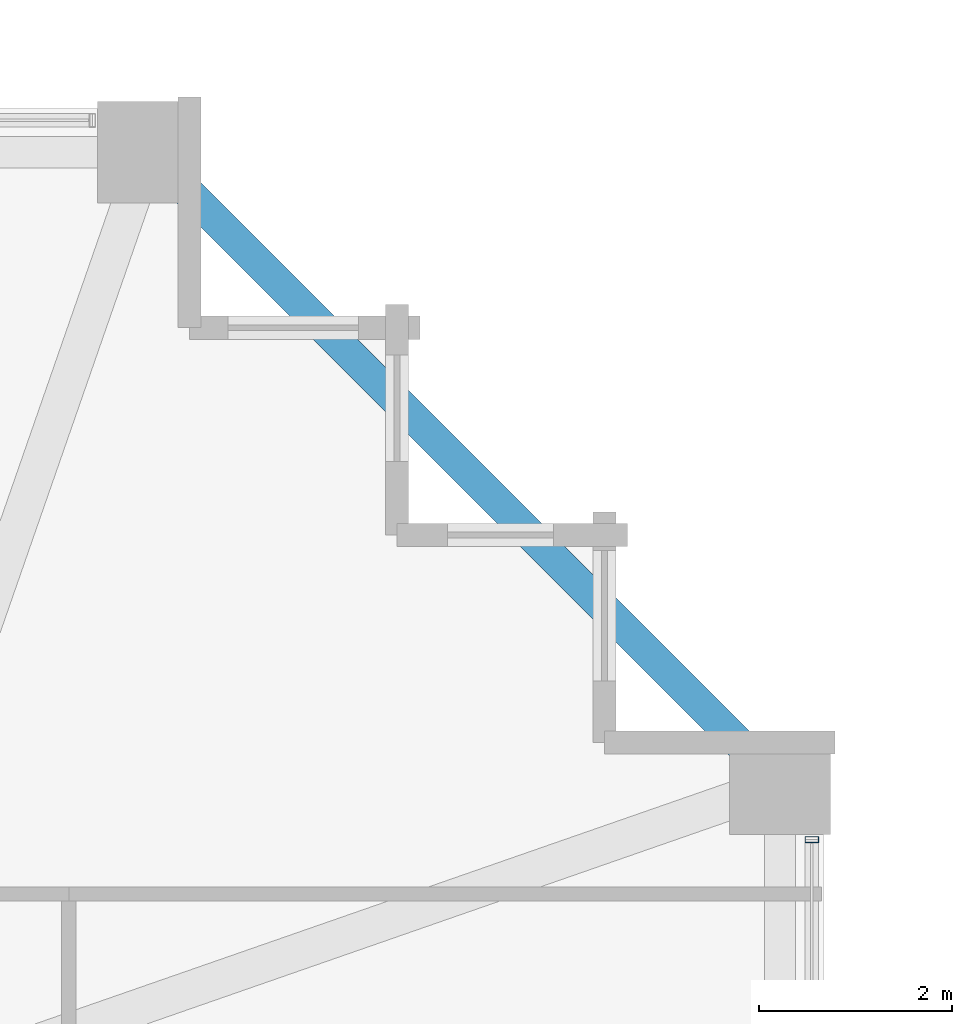
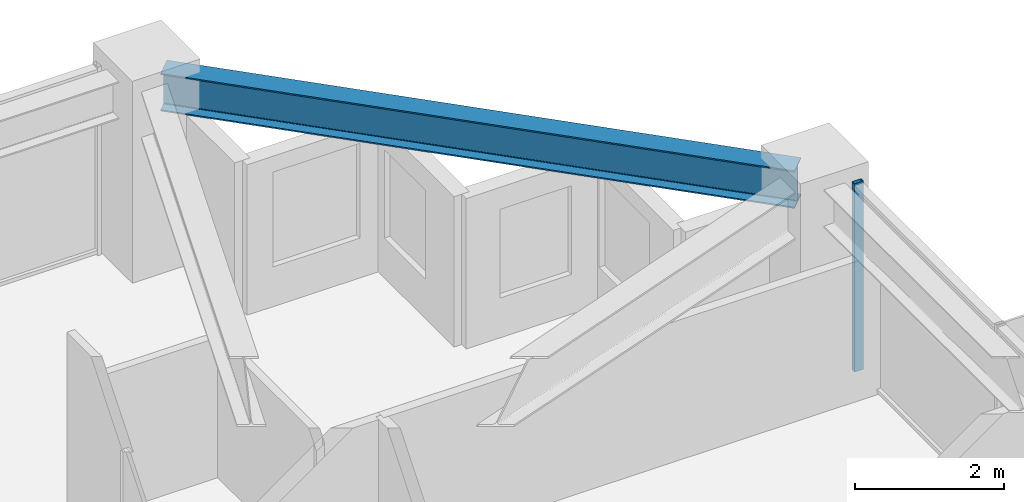
# One storey, part 23 of 37: 1 beam, 1 member, 1 element without a shape of its own.
"""IFC4 building model written with IfcOpenShell, lengths in metres."""

import ifcopenshell
import ifcopenshell.guid

model = None  # the IFC model being written
_history = None  # IfcOwnerHistory: only IFC2X3 demands one
_inside = {}  # id of a spatial element -> (the spatial element, [elements in it])
_under = {}  # id of a project, library or spatial element -> (it, [spatial elements below it])
_declared = {}  # id of a project -> (the project, [libraries it declares])
_typed = {}  # id of a type object -> (the type object, [elements of that type])
_made_of = {}  # id of a material, layer set ... -> (it, [elements and type objects made of it])


def new_model(schema):
    """Start an empty IFC model of exactly this schema.

    Asked for "IFC4X3", IfcOpenShell would pick the latest addendum, in which some entities
    have other attributes; the version numbers below select the first issue.
    IFC2X3 requires an IfcOwnerHistory on every rooted entity: one is made here for all.
    """
    global model, _history
    if schema == "IFC4X3":
        model = ifcopenshell.file(schema_version=(4, 3, 0, 0))
    else:
        model = ifcopenshell.file(schema=schema)
    _inside.clear()
    _under.clear()
    _declared.clear()
    _typed.clear()
    _made_of.clear()
    _history = None
    if model.schema == "IFC2X3":
        org = make("IfcOrganization", Name="unknown")
        user = make(
            "IfcPersonAndOrganization",
            ThePerson=make("IfcPerson", FamilyName="unknown"),
            TheOrganization=org,
        )
        app = make(
            "IfcApplication",
            ApplicationDeveloper=org,
            Version="unknown",
            ApplicationFullName="unknown",
            ApplicationIdentifier="unknown",
        )
        _history = make(
            "IfcOwnerHistory",
            OwningUser=user,
            OwningApplication=app,
            ChangeAction="ADDED",
            CreationDate=0,
        )
    return model


def make(cls, **values):
    """One entity of the class cls with the attributes given. An attribute that is None is left unset."""
    return model.create_entity(
        cls, **{name: value for name, value in values.items() if value is not None}
    )


def rooted(cls, **values):
    """An entity with a GlobalId (a new one), such as an element, a storey or a relation."""
    return make(cls, GlobalId=ifcopenshell.guid.new(), OwnerHistory=_history, **values)


def si_unit(unit_type, name, prefix=None):
    """IfcSIUnit, for example si_unit("LENGTHUNIT", "METRE", prefix="MILLI")."""
    return make("IfcSIUnit", UnitType=unit_type, Prefix=prefix, Name=name)


def assignment(units):
    """IfcUnitAssignment: the units of a project."""
    return None if units is None else make("IfcUnitAssignment", Units=units)


def point(xyz):
    """IfcCartesianPoint."""
    return None if xyz is None else make("IfcCartesianPoint", Coordinates=xyz)


def direction(xyz):
    """IfcDirection."""
    return None if xyz is None else make("IfcDirection", DirectionRatios=xyz)


def frame(location, z_axis=None, x_axis=None):
    """IfcAxis2Placement3D, a coordinate frame: its origin and axes. An axis left out is left unset."""
    return make(
        "IfcAxis2Placement3D",
        Location=point(location),
        Axis=direction(z_axis),
        RefDirection=direction(x_axis),
    )


def frame_2d(location, x_axis=None):
    """IfcAxis2Placement2D, a coordinate frame in the plane: its origin and x axis."""
    return make(
        "IfcAxis2Placement2D", Location=point(location), RefDirection=direction(x_axis)
    )


def origin():
    """The frame at (0, 0, 0) with its axes left unset."""
    return frame((0.0, 0.0, 0.0))


def origin_2d():
    """The frame at (0, 0) in the plane with its x axis left unset."""
    return frame_2d((0.0, 0.0))


def place(relative_to, where):
    """IfcLocalPlacement: puts the frame where relative to a parent placement (None: the world)."""
    return make(
        "IfcLocalPlacement", PlacementRelTo=relative_to, RelativePlacement=where
    )


def context(
    kind, dimensions, precision=None, world=None, true_north=None, identifier=None
):
    """IfcGeometricRepresentationContext, for example the 3D "Model" context."""
    return make(
        "IfcGeometricRepresentationContext",
        ContextIdentifier=identifier,
        ContextType=kind,
        CoordinateSpaceDimension=dimensions,
        Precision=precision,
        WorldCoordinateSystem=world,
        TrueNorth=true_north,
    )


def subcontext(parent, identifier, kind, view, scale=None):
    """IfcGeometricRepresentationSubContext, for example "Body" below "Model"."""
    return make(
        "IfcGeometricRepresentationSubContext",
        ContextIdentifier=identifier,
        ContextType=kind,
        ParentContext=parent,
        TargetScale=scale,
        TargetView=view,
    )


def project(units=None, contexts=None):
    """IfcProject with its units and contexts."""
    return rooted(
        "IfcProject",
        Name="project",
        RepresentationContexts=contexts,
        UnitsInContext=assignment(units),
    )


def spatial(cls, under=None, at=None, **own):
    """A site, building, storey or space (cls), placed at a placement, below another one or the project."""
    s = rooted(cls, ObjectPlacement=at, **own)
    if under is not None:
        _under.setdefault(under.id(), (under, []))[1].append(s)
    return s


def profile(cls, at=None, kind="AREA", **sizes):
    """A parametric profile (cls). Its sizes go by their IFC names, for example OverallWidth=200.0."""
    return make(cls, ProfileType=kind, Position=at, **sizes)


def hollow_rectangle(**sizes):
    """IfcRectangleHollowProfileDef."""
    return profile("IfcRectangleHollowProfileDef", **sizes)


def i_section(**sizes):
    """IfcIShapeProfileDef."""
    return profile("IfcIShapeProfileDef", **sizes)


def extrude(swept, where, along, depth):
    """IfcExtrudedAreaSolid: the profile swept, set in the frame where, extruded along a direction by depth."""
    return make(
        "IfcExtrudedAreaSolid",
        SweptArea=swept,
        Position=where,
        ExtrudedDirection=direction(along),
        Depth=depth,
    )


def shape(context_of_items, identifier, shape_type, items):
    """IfcShapeRepresentation: the items that make up one representation, for example the "Body"."""
    return make(
        "IfcShapeRepresentation",
        ContextOfItems=context_of_items,
        RepresentationIdentifier=identifier,
        RepresentationType=shape_type,
        Items=items,
    )


def material(Name=None, Category=None):
    """IfcMaterial."""
    return make("IfcMaterial", Name=Name, Category=Category)


def material_profile(
    of_material, cross_section, Name=None, Category=None, Priority=None
):
    """IfcMaterialProfile: a cross section and its material."""
    return make(
        "IfcMaterialProfile",
        Name=Name,
        Material=of_material,
        Profile=cross_section,
        Priority=Priority,
        Category=Category,
    )


def profile_set(profiles, Name=None, composite=None):
    """IfcMaterialProfileSet."""
    return make(
        "IfcMaterialProfileSet",
        Name=Name,
        MaterialProfiles=profiles,
        CompositeProfile=composite,
    )


def made_of(thing, what):
    """Note that an element or type object is made of a material, layer set ...; save() writes the relation."""
    if what is not None:
        _made_of.setdefault(what.id(), (what, []))[1].append(thing)
    return thing


def type_object(cls, material=None, **own):
    """A type object (cls), such as IfcWallType, which elements share."""
    return made_of(rooted(cls, **own), material)


def element(
    cls,
    number,
    at=None,
    inside=None,
    cuts=None,
    type_object=None,
    material=None,
    context=None,
    identifier="Body",
    shape_type=None,
    held_by="IfcProductDefinitionShape",
    body=None,
    shapes=None,
    **own,
):
    """One element of the class cls, such as IfcWall. Its Tag is "e" and its number.

    at: its placement. inside: the storey or other place that contains it. cuts: it is an
    opening in that element (IfcRelVoidsElement). A single representation is given by context,
    identifier, shape_type and body (its items); several are given by shapes. held_by: the class
    of the entity that holds the representations. save() writes the other relations.
    """
    e = rooted(cls, Tag="e%d" % number, ObjectPlacement=at, **own)
    if body is not None:
        shapes = [shape(context, identifier, shape_type, body)]
    if shapes is not None:
        e.Representation = make(held_by, Representations=shapes)
    if inside is not None:
        _inside.setdefault(inside.id(), (inside, []))[1].append(e)
    if cuts is not None:
        rooted(
            "IfcRelVoidsElement", RelatingBuildingElement=cuts, RelatedOpeningElement=e
        )
    if type_object is not None:
        _typed.setdefault(type_object.id(), (type_object, []))[1].append(e)
    return made_of(e, material)


def aggregate(whole, parts):
    """IfcRelAggregates: a whole, such as a stair, and the parts it consists of."""
    return rooted("IfcRelAggregates", RelatingObject=whole, RelatedObjects=parts)


def save(model, path):
    """Write the relations noted so far, then the file.

    IfcRelAggregates (storeys below a building ...), IfcRelContainedInSpatialStructure (elements
    in a storey), IfcRelDefinesByType, IfcRelAssociatesMaterial and IfcRelDeclares: one each for
    every whole, place, type object, material and project.
    """
    for whole, parts in _under.values():
        aggregate(whole, parts)
    for where, things in _inside.values():
        rooted(
            "IfcRelContainedInSpatialStructure",
            RelatedElements=things,
            RelatingStructure=where,
        )
    for kind, things in _typed.values():
        rooted("IfcRelDefinesByType", RelatedObjects=things, RelatingType=kind)
    for what, things in _made_of.values():
        rooted("IfcRelAssociatesMaterial", RelatedObjects=things, RelatingMaterial=what)
    for by, libraries in _declared.values():
        rooted("IfcRelDeclares", RelatingContext=by, RelatedDefinitions=libraries)
    model.write(path)


model = new_model("IFC4")

# Units and contexts
model_context = context("Model", 3, precision=1e-05, world=origin(), true_north=direction((0.0, 1.0)))
body_context = subcontext(model_context, "Body", "Model", "MODEL_VIEW")
ifc_project = project(units=[si_unit("LENGTHUNIT", "METRE"), si_unit("AREAUNIT", "SQUARE_METRE"), si_unit("VOLUMEUNIT", "CUBIC_METRE"), si_unit("PLANEANGLEUNIT", "RADIAN"), si_unit("MASSUNIT", "GRAM", prefix="KILO")], contexts=[model_context])

# Site, building, storey
site_placement = place(None, origin())
site = spatial("IfcSite", under=ifc_project, at=site_placement, CompositionType="ELEMENT")
building_placement = place(site_placement, origin())
building = spatial("IfcBuilding", under=site, at=building_placement, Name="Kolvaren Belvedere", CompositionType="ELEMENT")
storey_placement = place(building_placement, frame((0.0, 0.0, 75.5)))
storey = spatial("IfcBuildingStorey", under=building, at=storey_placement, Name="L21", CompositionType="ELEMENT", Elevation=75.5)

# Beam
ifc_material_1 = material(Name="Structural steel ASTM A992 Grade 50", Category="steel")
ifc_material_profile_1 = material_profile(ifc_material_1, i_section(OverallWidth=0.324951171875, OverallDepth=0.615966796875, WebThickness=0.013916015625, FlangeThickness=0.021484375, FilletRadius=0.02001953125, at=origin_2d()), Name="W24X117")
ifc_profile_set_1 = profile_set([ifc_material_profile_1], Name="Structural steel ASTM A992 Grade 50")
beam_type = type_object("IfcBeamType", Name="BM-SPAN-W24X117", PredefinedType="SPANDREL", material=ifc_profile_set_1)
beam_placement = place(storey_placement, frame((19.782958984375, 13.567138671875, 2.77197265625), z_axis=(-0.707106781187, 0.707106781187, 0.0), x_axis=(-0.707106781187, -0.707106781187, 0.0)))
element("IfcBeam", 1, at=beam_placement, inside=storey, type_object=beam_type, Name="L21 Perimeter Spandrel E4-N4", PredefinedType="SPANDREL", context=body_context, shape_type="SweptSolid", body=[
    extrude(i_section(OverallWidth=0.324951171875, OverallDepth=0.615966796875, WebThickness=0.013916015625, FlangeThickness=0.021484375, FilletRadius=0.02001953125, at=origin_2d()), origin(), (0.0, 0.0, 1.0), 8.79052734375),
])

# Curtain wall, member
ifc_material_2 = material(Name="Anodised pale-metal aluminium AA 6063-T6", Category="aluminium")
curtain_wall_type = type_object("IfcCurtainWallType", Name="CW-Z2-MID", PredefinedType="NOTDEFINED", material=ifc_material_2)
curtain_wall_placement = place(storey_placement, origin())
curtain_wall = element("IfcCurtainWall", 2, at=curtain_wall_placement, inside=storey, type_object=curtain_wall_type, Name="L21 Unitised Curtain Wall FCW-L21-E1-B1", PredefinedType="NOTDEFINED")
ifc_material_3 = material(Name="Anodised pale-metal aluminium AA 6063-T6", Category="aluminium")
ifc_material_profile_2 = material_profile(ifc_material_3, hollow_rectangle(XDim=0.06494140625, YDim=0.139892578125, WallThickness=0.00390625, at=origin_2d()), Name="ALU-MUL-140X65")
ifc_profile_set_2 = profile_set([ifc_material_profile_2], Name="Anodised pale-metal aluminium AA 6063-T6")
member_type = type_object("IfcMemberType", Name="CW-MUL-140", PredefinedType="MULLION", material=ifc_profile_set_2)
member_placement = place(storey_placement, frame((20.280029296875, 12.822509765625, 0.0), z_axis=(0.0, 0.0, 1.0), x_axis=(0.0, 1.0, 0.0)))
member = element("IfcMember", 3, at=member_placement, type_object=member_type, Name="FCW-L21-E1-B1 Unitised Mullion 1", PredefinedType="MULLION", context=body_context, shape_type="SweptSolid", body=[
    extrude(hollow_rectangle(XDim=0.06494140625, YDim=0.139892578125, WallThickness=0.00390625, at=origin_2d()), origin(), (0.0, 0.0, 1.0), 3.080078125),
])
aggregate(curtain_wall, [member])

save(model, "model.ifc")
